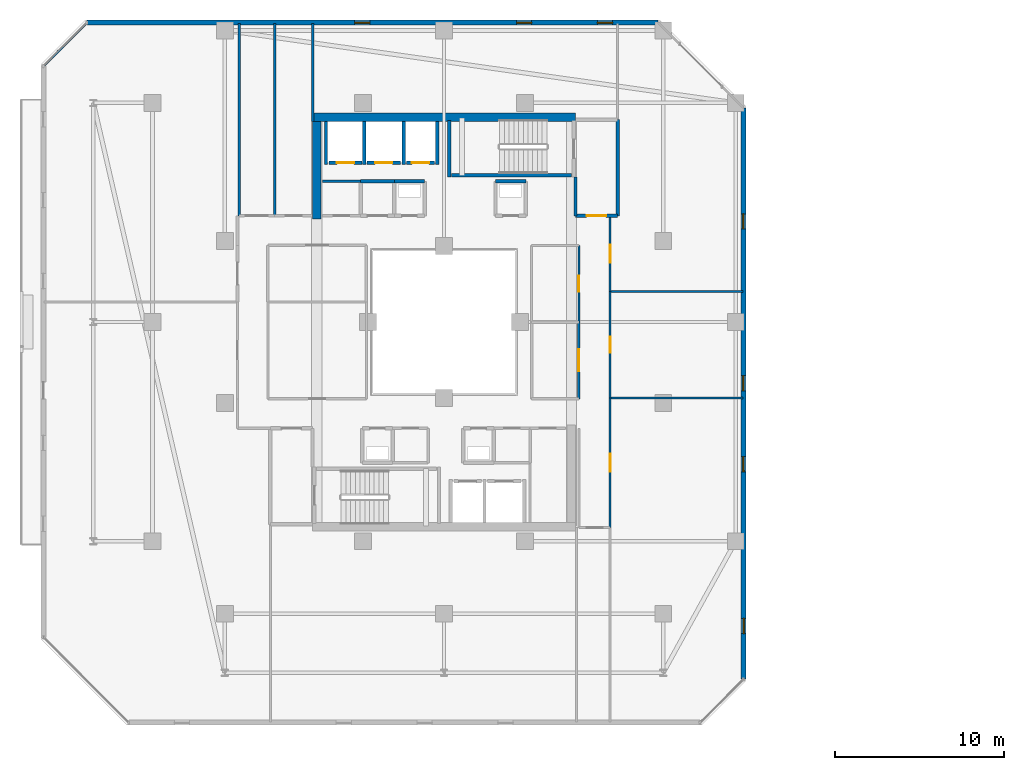
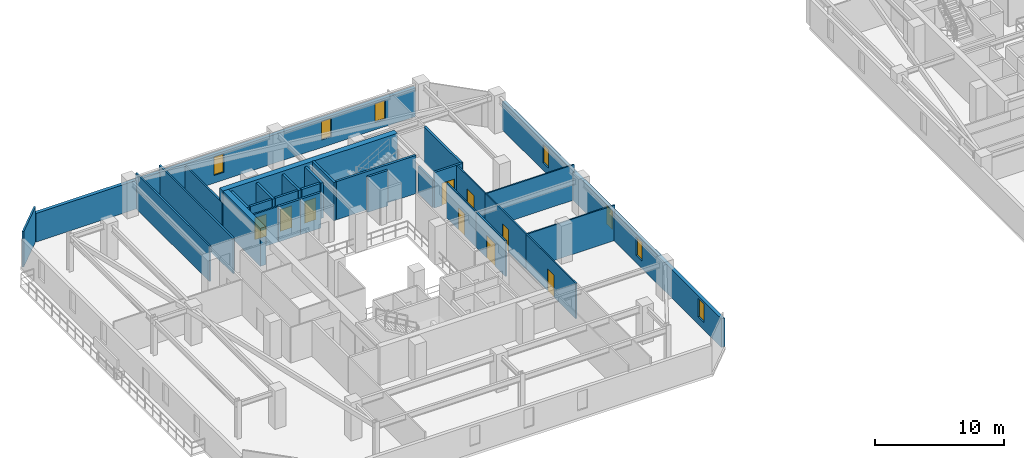
# One storey, part 20 of 32: 31 walls, 9 doors, 7 windows, 16 openings.
"""IFC4 building model written with IfcOpenShell, lengths in metres."""

from ifc_helpers import new_model, si_unit, direction, frame, frame_2d, origin, place, context, subcontext, project, spatial, rectangle, extrude, material, layer, layer_set, type_object, element, fill, save


model = new_model("IFC4")

# Units and contexts
model_context = context("Model", 3, precision=1e-05, world=origin(), true_north=direction((0.0, 1.0)))
body_context = subcontext(model_context, "Body", "Model", "MODEL_VIEW")
ifc_project = project(units=[si_unit("LENGTHUNIT", "METRE"), si_unit("AREAUNIT", "SQUARE_METRE"), si_unit("VOLUMEUNIT", "CUBIC_METRE"), si_unit("PLANEANGLEUNIT", "RADIAN"), si_unit("MASSUNIT", "GRAM", prefix="KILO")], contexts=[model_context])

# Site, building, storey
site_placement = place(None, origin())
site = spatial("IfcSite", under=ifc_project, at=site_placement, CompositionType="ELEMENT")
building_placement = place(site_placement, origin())
building = spatial("IfcBuilding", under=site, at=building_placement, Name="Thornwick Lancets Civic Towers", CompositionType="ELEMENT")
storey_placement = place(building_placement, frame((0.0, 0.0, 243.89990234375)))
storey = spatial("IfcBuildingStorey", under=building, at=storey_placement, Name="L65", CompositionType="ELEMENT", Elevation=243.89990234375)

# Wall, opening, door
ifc_material_1 = material(Name="Concrete blockwork C40/50", Category="masonry")
ifc_layer_1 = layer(ifc_material_1, 0.199951171875, Name="Concrete blockwork C40/50")
ifc_layer_set_1 = layer_set([ifc_layer_1], Name="Concrete blockwork C40/50")
wall_type_1 = type_object("IfcWallType", Name="WALL_COMP_200", PredefinedType="STANDARD", material=ifc_layer_set_1)
wall_1_placement = place(storey_placement, frame((24.919921875, 36.449951171875, 0.0), z_axis=(0.0, 0.0, 1.0), x_axis=(-1.0, 0.0, 0.0)))
wall_1 = element("IfcWall", 1, at=wall_1_placement, inside=storey, type_object=wall_type_1, Name="L65 Hoistway Front Wall FL-A2", PredefinedType="STANDARD", context=body_context, shape_type="SweptSolid", body=[
    extrude(rectangle(XDim=1.639892578125, YDim=0.199951171875, at=frame_2d((0.81982421875, 0.0))), origin(), (0.0, 0.0, 1.0), 3.340087890625),
])
opening_1_placement = place(wall_1_placement, frame((0.31005859375, 0.0, 0.0)))
opening_1 = element("IfcOpeningElement", 2, at=opening_1_placement, cuts=wall_1, Name="Opening LD-FL-A2", PredefinedType="OPENING", context=body_context, shape_type="SweptSolid", body=[
    extrude(rectangle(XDim=1.02001953125, YDim=2.06005859375, at=frame_2d((0.510009765625, 1.030029296875))), frame((0.0, 0.10986328125, 0.0), z_axis=(0.0, -1.0, 0.0), x_axis=(1.0, 0.0, 0.0)), (0.0, 0.0, 1.0), 0.219970703125),
])
ifc_material_2 = material(Name="Brushed bronze stainless steel", Category="steel")
door_type_1 = type_object("IfcDoorType", Name="DOOR_LIFT_SLIDE", OperationType="SLIDING_TO_LEFT", PredefinedType="DOOR", material=ifc_material_2)
door_1_placement = place(opening_1_placement, origin())
door_1 = element("IfcDoor", 3, at=door_1_placement, inside=storey, type_object=door_type_1, Name="L65 Sliding Lift Landing Door LD-FL-A2", OperationType="SLIDING_TO_LEFT", OverallHeight=2.06005859375, OverallWidth=1.02001953125, PredefinedType="DOOR", context=body_context, shape_type="SweptSolid", body=[
    extrude(rectangle(XDim=1.02001953125, YDim=2.06005859375, at=frame_2d((0.510009765625, 1.030029296875))), frame((0.0, 0.02490234375, 0.0), z_axis=(0.0, -1.0, 0.0), x_axis=(1.0, 0.0, 0.0)), (0.0, 0.0, 1.0), 0.050048828125),
])
fill(opening_1, door_1)

wall_2_placement = place(storey_placement, frame((22.919921875, 36.449951171875, 0.0), z_axis=(0.0, 0.0, 1.0), x_axis=(-1.0, 0.0, 0.0)))
wall_2 = element("IfcWall", 4, at=wall_2_placement, inside=storey, type_object=wall_type_1, Name="L65 Hoistway Front Wall PL-AH2", PredefinedType="STANDARD", context=body_context, shape_type="SweptSolid", body=[
    extrude(rectangle(XDim=1.989990234375, YDim=0.199951171875, at=frame_2d((0.9951171875, 0.0))), origin(), (0.0, 0.0, 1.0), 3.340087890625),
])
opening_2_placement = place(wall_2_placement, frame((0.485107421875, 0.0, 0.0)))
opening_2 = element("IfcOpeningElement", 5, at=opening_2_placement, cuts=wall_2, Name="Opening LD-PL-AH2", PredefinedType="OPENING", context=body_context, shape_type="SweptSolid", body=[
    extrude(rectangle(XDim=1.02001953125, YDim=2.06005859375, at=frame_2d((0.510009765625, 1.030029296875))), frame((0.0, 0.10986328125, 0.0), z_axis=(0.0, -1.0, 0.0), x_axis=(1.0, 0.0, 0.0)), (0.0, 0.0, 1.0), 0.219970703125),
])
door_2_placement = place(opening_2_placement, origin())
door_2 = element("IfcDoor", 6, at=door_2_placement, inside=storey, type_object=door_type_1, Name="L65 Sliding Lift Landing Door LD-PL-AH2", OperationType="SLIDING_TO_LEFT", OverallHeight=2.06005859375, OverallWidth=1.02001953125, PredefinedType="DOOR", context=body_context, shape_type="SweptSolid", body=[
    extrude(rectangle(XDim=1.02001953125, YDim=2.06005859375, at=frame_2d((0.510009765625, 1.030029296875))), frame((0.0, 0.02490234375, 0.0), z_axis=(0.0, -1.0, 0.0), x_axis=(1.0, 0.0, 0.0)), (0.0, 0.0, 1.0), 0.050048828125),
])
fill(opening_2, door_2)

wall_3_placement = place(storey_placement, frame((20.6201171875, 36.449951171875, 0.0), z_axis=(0.0, 0.0, 1.0), x_axis=(-1.0, 0.0, 0.0)))
wall_3 = element("IfcWall", 7, at=wall_3_placement, inside=storey, type_object=wall_type_1, Name="L65 Hoistway Front Wall PL-AH3", PredefinedType="STANDARD", context=body_context, shape_type="SweptSolid", body=[
    extrude(rectangle(XDim=1.940185546875, YDim=0.199951171875, at=frame_2d((0.97021484375, 0.0))), origin(), (0.0, 0.0, 1.0), 3.340087890625),
])
opening_3_placement = place(wall_3_placement, frame((0.4599609375, 0.0, 0.0)))
opening_3 = element("IfcOpeningElement", 8, at=opening_3_placement, cuts=wall_3, Name="Opening LD-PL-AH3", PredefinedType="OPENING", context=body_context, shape_type="SweptSolid", body=[
    extrude(rectangle(XDim=1.02001953125, YDim=2.06005859375, at=frame_2d((0.510009765625, 1.030029296875))), frame((0.0, 0.10986328125, 0.0), z_axis=(0.0, -1.0, 0.0), x_axis=(1.0, 0.0, 0.0)), (0.0, 0.0, 1.0), 0.219970703125),
])
door_3_placement = place(opening_3_placement, origin())
door_3 = element("IfcDoor", 9, at=door_3_placement, inside=storey, type_object=door_type_1, Name="L65 Sliding Lift Landing Door LD-PL-AH3", OperationType="SLIDING_TO_LEFT", OverallHeight=2.06005859375, OverallWidth=1.02001953125, PredefinedType="DOOR", context=body_context, shape_type="SweptSolid", body=[
    extrude(rectangle(XDim=1.02001953125, YDim=2.06005859375, at=frame_2d((0.510009765625, 1.030029296875))), frame((0.0, 0.02490234375, 0.0), z_axis=(0.0, -1.0, 0.0), x_axis=(1.0, 0.0, 0.0)), (0.0, 0.0, 1.0), 0.050048828125),
])
fill(opening_3, door_3)

# Walls
for number, where, z_axis, x_axis, name in (
    (10, (25.10009765625, 36.35205078125, 0.0), (0.0, 0.0, 1.0), (0.0, 1.0, 0.0), "L65 Hoistway Shaft Wall FL-A2 E"),
    (11, (23.10009765625, 36.35205078125, 0.0), (0.0, 0.0, 1.0), (0.0, 1.0, 0.0), "L65 Hoistway Shaft Wall FL-A2 W"),
    (12, (20.77490234375, 36.35205078125, 0.0), (0.0, 0.0, 1.0), (0.0, 1.0, 0.0), "L65 Hoistway Shaft Wall PL-AH2 W"),
    (13, (18.5, 36.35205078125, 0.0), (0.0, 0.0, 1.0), (0.0, 1.0, 0.0), "L65 Hoistway Shaft Wall PL-AH3 W"),
):
    element("IfcWall", number, at=place(storey_placement, frame(where, z_axis=z_axis, x_axis=x_axis)), inside=storey, type_object=wall_type_1, Name=name, PredefinedType="STANDARD", context=body_context, shape_type="SweptSolid", body=[
        extrude(rectangle(XDim=2.535888671875, YDim=0.199951171875, at=frame_2d((1.26806640625, 0.0))), origin(), (0.0, 0.0, 1.0), 3.340087890625),
    ])

# Wall, opening, door
wall_4_placement = place(storey_placement, frame((33.300048828125, 33.300048828125, 0.0), z_axis=(0.0, 0.0, 1.0), x_axis=(1.0, 0.0, 0.0)))
wall_4 = element("IfcWall", 14, at=wall_4_placement, inside=storey, type_object=wall_type_1, Name="L65 Partition L65-A-FFLOB2 E1", PredefinedType="STANDARD", context=body_context, shape_type="SweptSolid", body=[
    extrude(rectangle(XDim=2.5, YDim=0.199951171875, at=frame_2d((1.25, 0.0))), origin(), (0.0, 0.0, 1.0), 3.340087890625),
])
opening_4_placement = place(wall_4_placement, frame((0.659912109375, 0.0, 0.0)))
opening_4 = element("IfcOpeningElement", 15, at=opening_4_placement, cuts=wall_4, Name="Opening D-L65-2924", PredefinedType="OPENING", context=body_context, shape_type="SweptSolid", body=[
    extrude(rectangle(XDim=1.14990234375, YDim=2.10009765625, at=frame_2d((0.574951171875, 1.050048828125))), frame((0.0, 0.10986328125, 0.0), z_axis=(0.0, -1.0, 0.0), x_axis=(1.0, 0.0, 0.0)), (0.0, 0.0, 1.0), 0.219970703125),
])
ifc_material_3 = material(Name="Glazed fire-resisting steel", Category="steel")
door_type_2 = type_object("IfcDoorType", Name="DOOR_LOBBY_FD60", OperationType="NOTDEFINED", PredefinedType="DOOR", material=ifc_material_3)
door_4_placement = place(opening_4_placement, origin())
door_4 = element("IfcDoor", 16, at=door_4_placement, inside=storey, type_object=door_type_2, Name="L65 North Firefighting Lobby 2 Door", OperationType="SINGLE_SWING_LEFT", OverallHeight=2.10009765625, OverallWidth=1.14990234375, PredefinedType="DOOR", context=body_context, shape_type="SweptSolid", body=[
    extrude(rectangle(XDim=1.14990234375, YDim=2.10009765625, at=frame_2d((0.574951171875, 1.050048828125))), frame((0.0, 0.02490234375, 0.0), z_axis=(0.0, -1.0, 0.0), x_axis=(1.0, 0.0, 0.0)), (0.0, 0.0, 1.0), 0.050048828125),
])
fill(opening_4, door_4)

# Walls
wall_5_placement = place(storey_placement, frame((35.800048828125, 33.300048828125, 0.0), z_axis=(0.0, 0.0, 1.0), x_axis=(0.0, 1.0, 0.0)))
element("IfcWall", 17, at=wall_5_placement, inside=storey, type_object=wall_type_1, Name="L65 Partition L65-A-FFLOB2 E2", PredefinedType="STANDARD", context=body_context, shape_type="SweptSolid", body=[
    extrude(rectangle(XDim=5.699951171875, YDim=0.199951171875, at=frame_2d((2.85009765625, 0.0))), origin(), (0.0, 0.0, 1.0), 3.340087890625),
])
wall_6_placement = place(storey_placement, frame((33.300048828125, 35.60009765625, 0.0), z_axis=(0.0, 0.0, 1.0), x_axis=(0.0, -1.0, 0.0)))
element("IfcWall", 18, at=wall_6_placement, inside=storey, type_object=wall_type_1, Name="L65 Partition L65-A-FFLOB2 E4", PredefinedType="STANDARD", context=body_context, shape_type="SweptSolid", body=[
    extrude(rectangle(XDim=2.300048828125, YDim=0.199951171875, at=frame_2d((1.14990234375, 0.0))), origin(), (0.0, 0.0, 1.0), 2.545166015625),
])
for number, where, z_axis, x_axis, name in (
    (19, (24.35009765625, 35.35009765625, 0.0), (0.0, 0.0, 1.0), (-1.0, 0.0, 0.0), "L65 Partition L65-A-DUCT2 E3"),
    (20, (30.35009765625, 35.35009765625, 0.0), (0.0, 0.0, 1.0), (-1.0, 0.0, 0.0), "L65 Partition L65-A-RISER2 E3"),
):
    element("IfcWall", number, at=place(storey_placement, frame(where, z_axis=z_axis, x_axis=x_axis)), inside=storey, type_object=wall_type_1, Name=name, PredefinedType="STANDARD", context=body_context, shape_type="SweptSolid", body=[
        extrude(rectangle(XDim=1.800048828125, YDim=0.199951171875, at=frame_2d((0.89990234375, 0.0))), origin(), (0.0, 0.0, 1.0), 3.340087890625),
    ])
wall_7_placement = place(storey_placement, frame((20.550048828125, 35.35009765625, 0.0), z_axis=(0.0, 0.0, 1.0), x_axis=(1.0, 0.0, 0.0)))
element("IfcWall", 21, at=wall_7_placement, inside=storey, type_object=wall_type_1, Name="L65 Partition L65-A-STR E2", PredefinedType="STANDARD", context=body_context, shape_type="SweptSolid", body=[
    extrude(rectangle(XDim=2.0, YDim=0.199951171875, at=frame_2d((1.0, 0.0))), origin(), (0.0, 0.0, 1.0), 3.340087890625),
])
ifc_material_4 = material(Name="Concrete C50/60", Category="concrete")
ifc_layer_2 = layer(ifc_material_4, 0.5, Name="Concrete C50/60")
ifc_layer_set_2 = layer_set([ifc_layer_2], Name="Concrete C50/60")
wall_type_2 = type_object("IfcWallType", Name="WALL_CORE_500", PredefinedType="SHEAR", material=ifc_layer_set_2)
wall_8_placement = place(storey_placement, frame((17.699951171875, 39.14990234375, 0.0), z_axis=(0.0, 0.0, 1.0), x_axis=(1.0, 0.0, 0.0)))
element("IfcWall", 22, at=wall_8_placement, inside=storey, type_object=wall_type_2, Name="L65 Split Core A2 Shear Wall N", PredefinedType="SHEAR", context=body_context, shape_type="SweptSolid", body=[
    extrude(rectangle(XDim=15.60009765625, YDim=0.5, at=frame_2d((7.800048828125, 0.0))), origin(), (0.0, 0.0, 1.0), 3.60009765625),
])
wall_9_placement = place(storey_placement, frame((17.949951171875, 33.10009765625, 0.0), z_axis=(0.0, 0.0, 1.0), x_axis=(0.0, 1.0, 0.0)))
element("IfcWall", 23, at=wall_9_placement, inside=storey, type_object=wall_type_2, Name="L65 Split Core A2 Shear Wall W", PredefinedType="SHEAR", context=body_context, shape_type="SweptSolid", body=[
    extrude(rectangle(XDim=5.7998046875, YDim=0.5, at=frame_2d((2.89990234375, 0.0))), origin(), (0.0, 0.0, 1.0), 3.60009765625),
])

# Wall, openings, windows
ifc_material_5 = material(Name="Insulated russet terracotta rainscreen on concrete C40/50", Category="masonry")
ifc_layer_3 = layer(ifc_material_5, 0.300048828125, Name="Insulated russet terracotta rainscreen on concrete C40/50")
ifc_layer_set_3 = layer_set([ifc_layer_3], Name="Insulated russet terracotta rainscreen on concrete C40/50")
wall_type_3 = type_object("IfcWallType", Name="WALL_EXT_RUSSET_300", PredefinedType="STANDARD", material=ifc_layer_set_3)
wall_10_placement = place(storey_placement, frame((43.2646484375, 5.818603515625, 0.0), z_axis=(0.0, 0.0, 1.0), x_axis=(-0.000244999128, 0.999999969988, 0.0)))
wall_10 = element("IfcWall", 24, at=wall_10_placement, inside=storey, type_object=wall_type_3, Name="L65 Tower A Terracotta Facade Wall E2", PredefinedType="STANDARD", context=body_context, shape_type="SweptSolid", body=[
    extrude(rectangle(XDim=33.880859375, YDim=0.300048828125, at=frame_2d((16.9404296875, 0.0))), origin(), (0.0, 0.0, 1.0), 2.7001953125),
])
opening_5_placement = place(wall_10_placement, frame((2.699951171875, 0.0, 0.719970703125)))
opening_5 = element("IfcOpeningElement", 25, at=opening_5_placement, cuts=wall_10, Name="Opening WL-01", PredefinedType="OPENING", context=body_context, shape_type="SweptSolid", body=[
    extrude(rectangle(XDim=0.89990234375, YDim=1.75, at=frame_2d((0.449951171875, 0.875))), frame((0.0, 0.16015625, 0.0), z_axis=(0.0, -1.0, 0.0), x_axis=(1.0, 0.0, 0.0)), (0.0, 0.0, 1.0), 0.320068359375),
])
opening_6_placement = place(wall_10_placement, frame((12.300048828125, 0.0, 0.719970703125)))
opening_6 = element("IfcOpeningElement", 26, at=opening_6_placement, cuts=wall_10, Name="Opening WL-01", PredefinedType="OPENING", context=body_context, shape_type="SweptSolid", body=[
    extrude(rectangle(XDim=0.89990234375, YDim=1.75, at=frame_2d((0.449951171875, 0.875))), frame((0.0, 0.16015625, 0.0), z_axis=(0.0, -1.0, 0.0), x_axis=(1.0, 0.0, 0.0)), (0.0, 0.0, 1.0), 0.320068359375),
])
opening_7_placement = place(wall_10_placement, frame((17.10009765625, 0.0, 0.719970703125)))
opening_7 = element("IfcOpeningElement", 27, at=opening_7_placement, cuts=wall_10, Name="Opening WL-01", PredefinedType="OPENING", context=body_context, shape_type="SweptSolid", body=[
    extrude(rectangle(XDim=0.89990234375, YDim=1.75, at=frame_2d((0.449951171875, 0.875))), frame((0.0, 0.16015625, 0.0), z_axis=(0.0, -1.0, 0.0), x_axis=(1.0, 0.0, 0.0)), (0.0, 0.0, 1.0), 0.320068359375),
])
opening_8_placement = place(wall_10_placement, frame((26.699951171875, 0.0, 0.719970703125)))
opening_8 = element("IfcOpeningElement", 28, at=opening_8_placement, cuts=wall_10, Name="Opening WL-01", PredefinedType="OPENING", context=body_context, shape_type="SweptSolid", body=[
    extrude(rectangle(XDim=0.89990234375, YDim=1.75, at=frame_2d((0.449951171875, 0.875))), frame((0.0, 0.16015625, 0.0), z_axis=(0.0, -1.0, 0.0), x_axis=(1.0, 0.0, 0.0)), (0.0, 0.0, 1.0), 0.320068359375),
])
ifc_material_6 = material(Name="Clear low-e double glazing in bronze frame", Category="glass")
window_type = type_object("IfcWindowType", Name="WIN_LANCET_900", PartitioningType="SINGLE_PANEL", PredefinedType="WINDOW", material=ifc_material_6)
window_1_placement = place(opening_5_placement, origin())
window_1 = element("IfcWindow", 29, at=window_1_placement, inside=storey, type_object=window_type, Name="L65 Tower A Staggered Lancet Window E2-1", OverallHeight=1.75, OverallWidth=0.89990234375, PartitioningType="SINGLE_PANEL", PredefinedType="WINDOW", context=body_context, shape_type="SweptSolid", body=[
    extrude(rectangle(XDim=0.89990234375, YDim=1.75, at=frame_2d((0.449951171875, 0.875))), frame((0.0, 0.030029296875, 0.0), z_axis=(0.0, -1.0, 0.0), x_axis=(1.0, 0.0, 0.0)), (0.0, 0.0, 1.0), 0.06005859375),
])
fill(opening_5, window_1)
window_2_placement = place(opening_6_placement, origin())
window_2 = element("IfcWindow", 30, at=window_2_placement, inside=storey, type_object=window_type, Name="L65 Tower A Staggered Lancet Window E2-2", OverallHeight=1.75, OverallWidth=0.89990234375, PartitioningType="SINGLE_PANEL", PredefinedType="WINDOW", context=body_context, shape_type="SweptSolid", body=[
    extrude(rectangle(XDim=0.89990234375, YDim=1.75, at=frame_2d((0.449951171875, 0.875))), frame((0.0, 0.030029296875, 0.0), z_axis=(0.0, -1.0, 0.0), x_axis=(1.0, 0.0, 0.0)), (0.0, 0.0, 1.0), 0.06005859375),
])
fill(opening_6, window_2)
window_3_placement = place(opening_7_placement, origin())
window_3 = element("IfcWindow", 31, at=window_3_placement, inside=storey, type_object=window_type, Name="L65 Tower A Staggered Lancet Window E2-3", OverallHeight=1.75, OverallWidth=0.89990234375, PartitioningType="SINGLE_PANEL", PredefinedType="WINDOW", context=body_context, shape_type="SweptSolid", body=[
    extrude(rectangle(XDim=0.89990234375, YDim=1.75, at=frame_2d((0.449951171875, 0.875))), frame((0.0, 0.030029296875, 0.0), z_axis=(0.0, -1.0, 0.0), x_axis=(1.0, 0.0, 0.0)), (0.0, 0.0, 1.0), 0.06005859375),
])
fill(opening_7, window_3)
window_4_placement = place(opening_8_placement, origin())
window_4 = element("IfcWindow", 32, at=window_4_placement, inside=storey, type_object=window_type, Name="L65 Tower A Staggered Lancet Window E2-4", OverallHeight=1.75, OverallWidth=0.89990234375, PartitioningType="SINGLE_PANEL", PredefinedType="WINDOW", context=body_context, shape_type="SweptSolid", body=[
    extrude(rectangle(XDim=0.89990234375, YDim=1.75, at=frame_2d((0.449951171875, 0.875))), frame((0.0, 0.030029296875, 0.0), z_axis=(0.0, -1.0, 0.0), x_axis=(1.0, 0.0, 0.0)), (0.0, 0.0, 1.0), 0.06005859375),
])
fill(opening_8, window_4)

wall_11_placement = place(storey_placement, frame((38.199462890625, 44.75634765625, 0.0), z_axis=(0.0, 0.0, 1.0), x_axis=(-0.999999969988, 0.000244999128, 0.0)))
wall_11 = element("IfcWall", 33, at=wall_11_placement, inside=storey, type_object=wall_type_3, Name="L65 Tower A Terracotta Facade Wall E4", PredefinedType="STANDARD", context=body_context, shape_type="SweptSolid", body=[
    extrude(rectangle(XDim=33.880859375, YDim=0.300048828125, at=frame_2d((16.9404296875, 0.0))), origin(), (0.0, 0.0, 1.0), 2.7001953125),
])
opening_9_placement = place(wall_11_placement, frame((2.699951171875, 0.0, 0.719970703125)))
opening_9 = element("IfcOpeningElement", 34, at=opening_9_placement, cuts=wall_11, Name="Opening WL-01", PredefinedType="OPENING", context=body_context, shape_type="SweptSolid", body=[
    extrude(rectangle(XDim=0.89990234375, YDim=1.75, at=frame_2d((0.449951171875, 0.875))), frame((0.0, 0.16015625, 0.0), z_axis=(0.0, -1.0, 0.0), x_axis=(1.0, 0.0, 0.0)), (0.0, 0.0, 1.0), 0.320068359375),
])
opening_10_placement = place(wall_11_placement, frame((7.5, 0.0, 0.719970703125)))
opening_10 = element("IfcOpeningElement", 35, at=opening_10_placement, cuts=wall_11, Name="Opening WL-01", PredefinedType="OPENING", context=body_context, shape_type="SweptSolid", body=[
    extrude(rectangle(XDim=0.89990234375, YDim=1.75, at=frame_2d((0.449951171875, 0.875))), frame((0.0, 0.16015625, 0.0), z_axis=(0.0, -1.0, 0.0), x_axis=(1.0, 0.0, 0.0)), (0.0, 0.0, 1.0), 0.320068359375),
])
opening_11_placement = place(wall_11_placement, frame((17.10009765625, 0.0, 0.719970703125)))
opening_11 = element("IfcOpeningElement", 36, at=opening_11_placement, cuts=wall_11, Name="Opening WL-01", PredefinedType="OPENING", context=body_context, shape_type="SweptSolid", body=[
    extrude(rectangle(XDim=0.89990234375, YDim=1.75, at=frame_2d((0.449951171875, 0.875))), frame((0.0, 0.16015625, 0.0), z_axis=(0.0, -1.0, 0.0), x_axis=(1.0, 0.0, 0.0)), (0.0, 0.0, 1.0), 0.320068359375),
])
window_5_placement = place(opening_9_placement, origin())
window_5 = element("IfcWindow", 37, at=window_5_placement, inside=storey, type_object=window_type, Name="L65 Tower A Staggered Lancet Window E4-1", OverallHeight=1.75, OverallWidth=0.89990234375, PartitioningType="SINGLE_PANEL", PredefinedType="WINDOW", context=body_context, shape_type="SweptSolid", body=[
    extrude(rectangle(XDim=0.89990234375, YDim=1.75, at=frame_2d((0.449951171875, 0.875))), frame((0.0, 0.030029296875, 0.0), z_axis=(0.0, -1.0, 0.0), x_axis=(1.0, 0.0, 0.0)), (0.0, 0.0, 1.0), 0.06005859375),
])
fill(opening_9, window_5)
window_6_placement = place(opening_10_placement, origin())
window_6 = element("IfcWindow", 38, at=window_6_placement, inside=storey, type_object=window_type, Name="L65 Tower A Staggered Lancet Window E4-2", OverallHeight=1.75, OverallWidth=0.89990234375, PartitioningType="SINGLE_PANEL", PredefinedType="WINDOW", context=body_context, shape_type="SweptSolid", body=[
    extrude(rectangle(XDim=0.89990234375, YDim=1.75, at=frame_2d((0.449951171875, 0.875))), frame((0.0, 0.030029296875, 0.0), z_axis=(0.0, -1.0, 0.0), x_axis=(1.0, 0.0, 0.0)), (0.0, 0.0, 1.0), 0.06005859375),
])
fill(opening_10, window_6)
window_7_placement = place(opening_11_placement, origin())
window_7 = element("IfcWindow", 39, at=window_7_placement, inside=storey, type_object=window_type, Name="L65 Tower A Staggered Lancet Window E4-3", OverallHeight=1.75, OverallWidth=0.89990234375, PartitioningType="SINGLE_PANEL", PredefinedType="WINDOW", context=body_context, shape_type="SweptSolid", body=[
    extrude(rectangle(XDim=0.89990234375, YDim=1.75, at=frame_2d((0.449951171875, 0.875))), frame((0.0, 0.030029296875, 0.0), z_axis=(0.0, -1.0, 0.0), x_axis=(1.0, 0.0, 0.0)), (0.0, 0.0, 1.0), 0.06005859375),
])
fill(opening_11, window_7)

# Wall, opening, door
ifc_material_7 = material(Name="Acoustic gypsum board partition")
ifc_layer_4 = layer(ifc_material_7, 0.1201171875, Name="Acoustic gypsum board partition")
ifc_layer_set_4 = layer_set([ifc_layer_4], Name="Acoustic gypsum board partition")
wall_type_4 = type_object("IfcWallType", Name="WALL_PART_120", PredefinedType="PARTITIONING", material=ifc_layer_set_4)
wall_12_placement = place(storey_placement, frame((35.35009765625, 14.800048828125, 0.0), z_axis=(0.0, 0.0, 1.0), x_axis=(0.0, 1.0, 0.0)))
wall_12 = element("IfcWall", 40, at=wall_12_placement, inside=storey, type_object=wall_type_4, Name="L65 Partition L65-A-E1 E3", PredefinedType="PARTITIONING", context=body_context, shape_type="SweptSolid", body=[
    extrude(rectangle(XDim=7.699951171875, YDim=0.1201171875, at=frame_2d((3.85009765625, 0.0))), origin(), (0.0, 0.0, 1.0), 3.340087890625),
])
opening_12_placement = place(wall_12_placement, frame((3.324951171875, 0.0, 0.0)))
opening_12 = element("IfcOpeningElement", 41, at=opening_12_placement, cuts=wall_12, Name="Opening D-L65-2952", PredefinedType="OPENING", context=body_context, shape_type="SweptSolid", body=[
    extrude(rectangle(XDim=1.050048828125, YDim=2.10009765625, at=frame_2d((0.52490234375, 1.050048828125))), frame((0.0, 0.070068359375, 0.0), z_axis=(0.0, -1.0, 0.0), x_axis=(1.0, 0.0, 0.0)), (0.0, 0.0, 1.0), 0.14013671875),
])
ifc_material_8 = material(Name="Glazed European oak executive doorset")
door_type_3 = type_object("IfcDoorType", Name="DOOR_OFFICE_1050", OperationType="NOTDEFINED", PredefinedType="DOOR", material=ifc_material_8)
door_5_placement = place(opening_12_placement, origin())
door_5 = element("IfcDoor", 42, at=door_5_placement, inside=storey, type_object=door_type_3, Name="L65 Tower A Secretariat Open Office E1 Door", OperationType="SINGLE_SWING_LEFT", OverallHeight=2.10009765625, OverallWidth=1.050048828125, PredefinedType="DOOR", context=body_context, shape_type="SweptSolid", body=[
    extrude(rectangle(XDim=1.050048828125, YDim=2.10009765625, at=frame_2d((0.52490234375, 1.050048828125))), frame((0.0, 0.02490234375, 0.0), z_axis=(0.0, -1.0, 0.0), x_axis=(1.0, 0.0, 0.0)), (0.0, 0.0, 1.0), 0.050048828125),
])
fill(opening_12, door_5)

# Wall
wall_13_placement = place(storey_placement, frame((35.35009765625, 22.5, 0.0), z_axis=(0.0, 0.0, 1.0), x_axis=(1.0, 0.0, 0.0)))
element("IfcWall", 43, at=wall_13_placement, inside=storey, type_object=wall_type_4, Name="L65 Partition L65-A-E1 E4", PredefinedType="PARTITIONING", context=body_context, shape_type="SweptSolid", body=[
    extrude(rectangle(XDim=7.869873046875, YDim=0.1201171875, at=frame_2d((3.93505859375, 0.0))), origin(), (0.0, 0.0, 1.0), 3.340087890625),
])

# Wall, opening, door
wall_14_placement = place(storey_placement, frame((35.35009765625, 22.5, 0.0), z_axis=(0.0, 0.0, 1.0), x_axis=(0.0, 1.0, 0.0)))
wall_14 = element("IfcWall", 44, at=wall_14_placement, inside=storey, type_object=wall_type_4, Name="L65 Partition L65-A-E2 E1", PredefinedType="PARTITIONING", context=body_context, shape_type="SweptSolid", body=[
    extrude(rectangle(XDim=6.300048828125, YDim=0.1201171875, at=frame_2d((3.14990234375, 0.0))), origin(), (0.0, 0.0, 1.0), 3.340087890625),
])
opening_13_placement = place(wall_14_placement, frame((2.675048828125, 0.0, 0.0)))
opening_13 = element("IfcOpeningElement", 45, at=opening_13_placement, cuts=wall_14, Name="Opening D-L65-2953", PredefinedType="OPENING", context=body_context, shape_type="SweptSolid", body=[
    extrude(rectangle(XDim=0.949951171875, YDim=2.10009765625, at=frame_2d((0.47509765625, 1.050048828125))), frame((0.0, 0.070068359375, 0.0), z_axis=(0.0, -1.0, 0.0), x_axis=(1.0, 0.0, 0.0)), (0.0, 0.0, 1.0), 0.14013671875),
])
ifc_material_9 = material(Name="European oak acoustic doorset")
door_type_4 = type_object("IfcDoorType", Name="DOOR_OFFICE_950", OperationType="NOTDEFINED", PredefinedType="DOOR", material=ifc_material_9)
door_6_placement = place(opening_13_placement, origin())
door_6 = element("IfcDoor", 46, at=door_6_placement, inside=storey, type_object=door_type_4, Name="L65 Tower A Visitors Reception and Waiting Door", OperationType="SINGLE_SWING_RIGHT", OverallHeight=2.10009765625, OverallWidth=0.949951171875, PredefinedType="DOOR", context=body_context, shape_type="SweptSolid", body=[
    extrude(rectangle(XDim=0.949951171875, YDim=2.10009765625, at=frame_2d((0.47509765625, 1.050048828125))), frame((0.0, 0.02490234375, 0.0), z_axis=(0.0, -1.0, 0.0), x_axis=(1.0, 0.0, 0.0)), (0.0, 0.0, 1.0), 0.050048828125),
])
fill(opening_13, door_6)

# Wall
wall_15_placement = place(storey_placement, frame((35.35009765625, 28.800048828125, 0.0), z_axis=(0.0, 0.0, 1.0), x_axis=(1.0, 0.0, 0.0)))
element("IfcWall", 47, at=wall_15_placement, inside=storey, type_object=wall_type_4, Name="L65 Partition L65-A-E2 E2", PredefinedType="PARTITIONING", context=body_context, shape_type="SweptSolid", body=[
    extrude(rectangle(XDim=7.869873046875, YDim=0.1201171875, at=frame_2d((3.93505859375, 0.0))), origin(), (0.0, 0.0, 1.0), 3.340087890625),
])

# Wall, opening, door
wall_16_placement = place(storey_placement, frame((35.35009765625, 28.800048828125, 0.0), z_axis=(0.0, 0.0, 1.0), x_axis=(0.0, 1.0, 0.0)))
wall_16 = element("IfcWall", 48, at=wall_16_placement, inside=storey, type_object=wall_type_4, Name="L65 Partition L65-A-E3 E8", PredefinedType="PARTITIONING", context=body_context, shape_type="SweptSolid", body=[
    extrude(rectangle(XDim=4.5, YDim=0.1201171875, at=frame_2d((2.25, 0.0))), origin(), (0.0, 0.0, 1.0), 3.340087890625),
])
opening_14_placement = place(wall_16_placement, frame((1.72509765625, 0.0, 0.0)))
opening_14 = element("IfcOpeningElement", 49, at=opening_14_placement, cuts=wall_16, Name="Opening D-L65-2954", PredefinedType="OPENING", context=body_context, shape_type="SweptSolid", body=[
    extrude(rectangle(XDim=1.050048828125, YDim=2.10009765625, at=frame_2d((0.52490234375, 1.050048828125))), frame((0.0, 0.070068359375, 0.0), z_axis=(0.0, -1.0, 0.0), x_axis=(1.0, 0.0, 0.0)), (0.0, 0.0, 1.0), 0.14013671875),
])
door_7_placement = place(opening_14_placement, origin())
door_7 = element("IfcDoor", 50, at=door_7_placement, inside=storey, type_object=door_type_3, Name="L65 Tower A Civic Seminar Room Door", OperationType="SINGLE_SWING_LEFT", OverallHeight=2.10009765625, OverallWidth=1.050048828125, PredefinedType="DOOR", context=body_context, shape_type="SweptSolid", body=[
    extrude(rectangle(XDim=1.050048828125, YDim=2.10009765625, at=frame_2d((0.52490234375, 1.050048828125))), frame((0.0, 0.02490234375, 0.0), z_axis=(0.0, -1.0, 0.0), x_axis=(1.0, 0.0, 0.0)), (0.0, 0.0, 1.0), 0.050048828125),
])
fill(opening_14, door_7)

wall_17_placement = place(storey_placement, frame((33.5, 31.550048828125, 0.0), z_axis=(0.0, 0.0, 1.0), x_axis=(0.0, -1.0, 0.0)))
wall_17 = element("IfcWall", 51, at=wall_17_placement, inside=storey, type_object=wall_type_4, Name="L65 Partition L65-A-E-ATR-2 E3", PredefinedType="PARTITIONING", context=body_context, shape_type="SweptSolid", body=[
    extrude(rectangle(XDim=4.550048828125, YDim=0.1201171875, at=frame_2d((2.27490234375, 0.0))), origin(), (0.0, 0.0, 1.0), 3.340087890625),
])
opening_15_placement = place(wall_17_placement, frame((1.800048828125, 0.0, 0.0)))
opening_15 = element("IfcOpeningElement", 52, at=opening_15_placement, cuts=wall_17, Name="Opening D-L65-2956", PredefinedType="OPENING", context=body_context, shape_type="SweptSolid", body=[
    extrude(rectangle(XDim=0.949951171875, YDim=2.10009765625, at=frame_2d((0.47509765625, 1.050048828125))), frame((0.0, 0.070068359375, 0.0), z_axis=(0.0, -1.0, 0.0), x_axis=(1.0, 0.0, 0.0)), (0.0, 0.0, 1.0), 0.14013671875),
])
door_8_placement = place(opening_15_placement, origin())
door_8 = element("IfcDoor", 53, at=door_8_placement, inside=storey, type_object=door_type_4, Name="L65 Tower A Atrium Research Suite Door", OperationType="SINGLE_SWING_LEFT", OverallHeight=2.10009765625, OverallWidth=0.949951171875, PredefinedType="DOOR", context=body_context, shape_type="SweptSolid", body=[
    extrude(rectangle(XDim=0.949951171875, YDim=2.10009765625, at=frame_2d((0.47509765625, 1.050048828125))), frame((0.0, 0.02490234375, 0.0), z_axis=(0.0, -1.0, 0.0), x_axis=(1.0, 0.0, 0.0)), (0.0, 0.0, 1.0), 0.050048828125),
])
fill(opening_15, door_8)

# Walls
ifc_material_10 = material(Name="Twin-stud acoustic gypsum board")
ifc_layer_5 = layer(ifc_material_10, 0.14990234375, Name="Twin-stud acoustic gypsum board")
ifc_layer_set_5 = layer_set([ifc_layer_5], Name="Twin-stud acoustic gypsum board")
wall_type_5 = type_object("IfcWallType", Name="WALL_PART_150", PredefinedType="PARTITIONING", material=ifc_layer_set_5)
wall_18_placement = place(storey_placement, frame((20.550048828125, 35.35009765625, 0.0), z_axis=(0.0, 0.0, 1.0), x_axis=(-1.0, 0.0, 0.0)))
element("IfcWall", 54, at=wall_18_placement, inside=storey, type_object=wall_type_5, Name="L65 Partition L65-A-AWC E3", PredefinedType="PARTITIONING", context=body_context, shape_type="SweptSolid", body=[
    extrude(rectangle(XDim=2.25, YDim=0.14990234375, at=frame_2d((1.125, 0.0))), origin(), (0.0, 0.0, 1.0), 3.340087890625),
])
for number, where, z_axis, x_axis, name in (
    (55, (13.35009765625, 33.300048828125, 0.0), (0.0, 0.0, 1.0), (0.0, 1.0, 0.0), "L65 Partition L65-A-RECLAIM-M1 E1"),
    (56, (15.449951171875, 44.719970703125, 0.0), (0.0, 0.0, 1.0), (0.0, -1.0, 0.0), "L65 Partition L65-A-RECLAIM-M1 E3"),
):
    element("IfcWall", number, at=place(storey_placement, frame(where, z_axis=z_axis, x_axis=x_axis)), inside=storey, type_object=wall_type_5, Name=name, PredefinedType="PARTITIONING", context=body_context, shape_type="SweptSolid", body=[
        extrude(rectangle(XDim=11.419921875, YDim=0.14990234375, at=frame_2d((5.7099609375, 0.0))), origin(), (0.0, 0.0, 1.0), 3.340087890625),
    ])
wall_19_placement = place(storey_placement, frame((17.699951171875, 44.719970703125, 0.0), z_axis=(0.0, 0.0, 1.0), x_axis=(0.0, -1.0, 0.0)))
element("IfcWall", 57, at=wall_19_placement, inside=storey, type_object=wall_type_5, Name="L65 Partition L65-A-RECLAIM-M2 E3", PredefinedType="PARTITIONING", context=body_context, shape_type="SweptSolid", body=[
    extrude(rectangle(XDim=5.820068359375, YDim=0.14990234375, at=frame_2d((2.91015625, 0.0))), origin(), (0.0, 0.0, 1.0), 2.545166015625),
])
wall_20_placement = place(storey_placement, frame((1.780029296875, 42.225341796875, 0.0), z_axis=(0.0, 0.0, 1.0), x_axis=(0.707106781187, 0.707106781187, 0.0)))
element("IfcWall", 58, at=wall_20_placement, inside=storey, type_object=wall_type_5, Name="L65 Partition L65-A-W2 E2", PredefinedType="PARTITIONING", context=body_context, shape_type="SweptSolid", body=[
    extrude(rectangle(XDim=3.52783203125, YDim=0.14990234375, at=frame_2d((1.763916015625, 0.0))), origin(), (0.0, 0.0, 1.0), 3.340087890625),
])

# Wall, opening, door
wall_21_placement = place(storey_placement, frame((33.5, 27.0, 0.0), z_axis=(0.0, 0.0, 1.0), x_axis=(0.0, -1.0, 0.0)))
wall_21 = element("IfcWall", 59, at=wall_21_placement, inside=storey, type_object=wall_type_5, Name="L65 Partition L65-A-E-ATR-1 E3", PredefinedType="PARTITIONING", context=body_context, shape_type="SweptSolid", body=[
    extrude(rectangle(XDim=4.550048828125, YDim=0.14990234375, at=frame_2d((2.27490234375, 0.0))), origin(), (0.0, 0.0, 1.0), 3.340087890625),
])
opening_16_placement = place(wall_21_placement, frame((1.625, 0.0, 0.0)))
opening_16 = element("IfcOpeningElement", 60, at=opening_16_placement, cuts=wall_21, Name="Opening D-L65-2955", PredefinedType="OPENING", context=body_context, shape_type="SweptSolid", body=[
    extrude(rectangle(XDim=1.300048828125, YDim=2.1201171875, at=frame_2d((0.64990234375, 1.06005859375))), frame((0.0, 0.0849609375, 0.0), z_axis=(0.0, -1.0, 0.0), x_axis=(1.0, 0.0, 0.0)), (0.0, 0.0, 1.0), 0.169921875),
])
ifc_material_11 = material(Name="Acoustic oak leaf-and-a-half doorset")
door_type_5 = type_object("IfcDoorType", Name="DOOR_MEET_1300", OperationType="DOUBLE_DOOR_SINGLE_SWING", PredefinedType="DOOR", material=ifc_material_11)
door_9_placement = place(opening_16_placement, origin())
door_9 = element("IfcDoor", 61, at=door_9_placement, inside=storey, type_object=door_type_5, Name="L65 Tower A Atrium Briefing Room Door", OperationType="DOUBLE_DOOR_SINGLE_SWING", OverallHeight=2.1201171875, OverallWidth=1.300048828125, PredefinedType="DOOR", context=body_context, shape_type="SweptSolid", body=[
    extrude(rectangle(XDim=1.300048828125, YDim=2.1201171875, at=frame_2d((0.64990234375, 1.06005859375))), frame((0.0, 0.02490234375, 0.0), z_axis=(0.0, -1.0, 0.0), x_axis=(1.0, 0.0, 0.0)), (0.0, 0.0, 1.0), 0.050048828125),
])
fill(opening_16, door_9)

# Walls
ifc_material_12 = material(Name="Concrete C40/50", Category="concrete")
ifc_layer_6 = layer(ifc_material_12, 0.199951171875, Name="Concrete C40/50")
ifc_layer_set_6 = layer_set([ifc_layer_6], Name="Concrete C40/50")
wall_type_6 = type_object("IfcWallType", Name="WALL_SHAFT_200", PredefinedType="SHEAR", material=ifc_layer_set_6)
wall_22_placement = place(storey_placement, frame((25.800048828125, 35.60009765625, 0.0), z_axis=(0.0, 0.0, 1.0), x_axis=(0.0, 1.0, 0.0)))
element("IfcWall", 62, at=wall_22_placement, inside=storey, type_object=wall_type_6, Name="L65 ST-A2 Fire Stair Core Wall FAR", PredefinedType="SHEAR", context=body_context, shape_type="SweptSolid", body=[
    extrude(rectangle(XDim=3.349853515625, YDim=0.199951171875, at=frame_2d((1.6748046875, 0.0))), origin(), (0.0, 0.0, 1.0), 3.60009765625),
])
wall_23_placement = place(storey_placement, frame((25.949951171875, 35.702880859375, 0.0), z_axis=(0.0, 0.0, 1.0), x_axis=(1.0, 0.0, 0.0)))
element("IfcWall", 63, at=wall_23_placement, inside=storey, type_object=wall_type_6, Name="L65 ST-A2 Fire Stair Core Wall RIGHT", PredefinedType="SHEAR", context=body_context, shape_type="SweptSolid", body=[
    extrude(rectangle(XDim=7.10009765625, YDim=0.199951171875, at=frame_2d((3.550048828125, 0.0))), origin(), (0.0, 0.0, 1.0), 3.60009765625),
])

save(model, "model.ifc")
